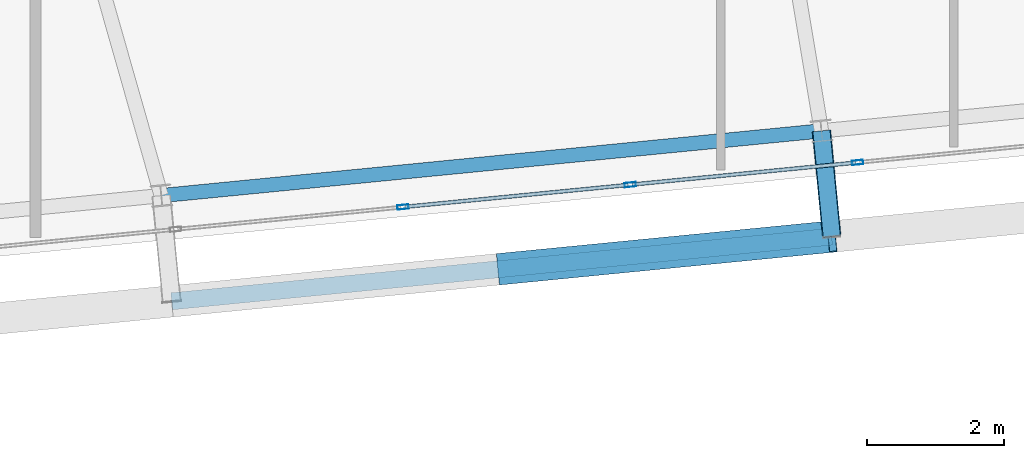
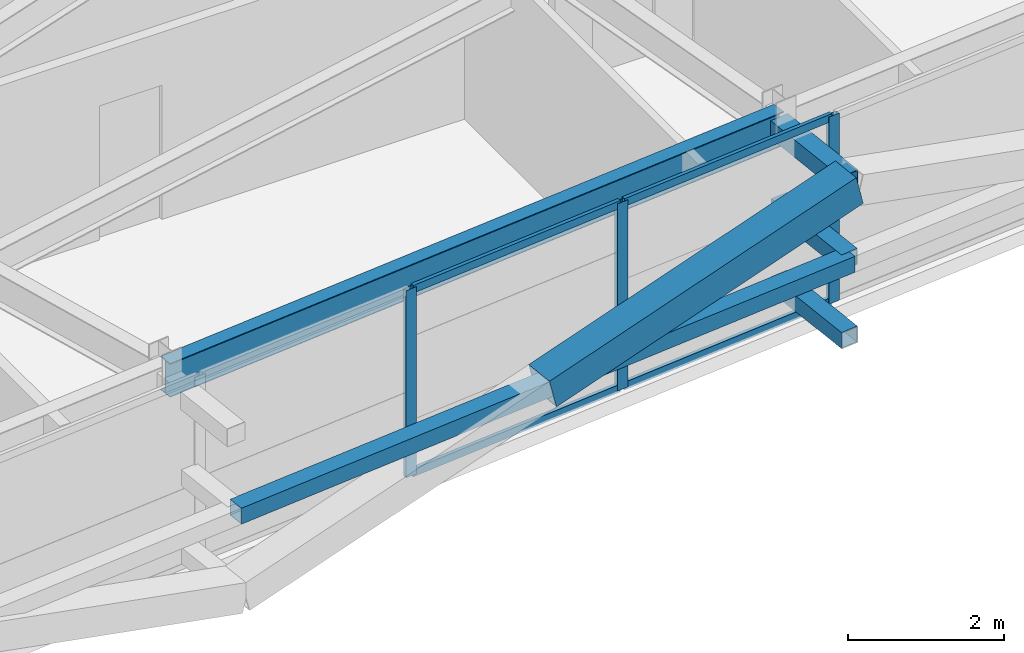
# One storey, part 18 of 52: 12 members, 1 beam, 1 element without a shape of its own.
"""IFC4 building model written with IfcOpenShell, lengths in metres."""

from ifc_helpers import new_model, si_unit, direction, frame, origin, origin_2d, place, context, subcontext, project, spatial, hollow_rectangle, i_section, extrude, source, transform, mapped, material, layer, layer_set, material_profile, profile_set, type_object, element, aggregate, save


model = new_model("IFC4")

# Units and contexts
model_context = context("Model", 3, precision=1e-05, world=origin(), true_north=direction((0.0, 1.0)))
body_context = subcontext(model_context, "Body", "Model", "MODEL_VIEW")
ifc_project = project(units=[si_unit("LENGTHUNIT", "METRE"), si_unit("AREAUNIT", "SQUARE_METRE"), si_unit("VOLUMEUNIT", "CUBIC_METRE"), si_unit("PLANEANGLEUNIT", "RADIAN"), si_unit("MASSUNIT", "GRAM", prefix="KILO")], contexts=[model_context])

# Site, building, storey
site_placement = place(None, origin())
site = spatial("IfcSite", under=ifc_project, at=site_placement, CompositionType="ELEMENT")
building_placement = place(site_placement, origin())
building = spatial("IfcBuilding", under=site, at=building_placement, Name="Taldren Reach Tower", CompositionType="ELEMENT")
storey_placement = place(building_placement, frame((0.0, 0.0, 96.60009765625)))
storey = spatial("IfcBuildingStorey", under=building, at=storey_placement, Name="L29", CompositionType="ELEMENT", Elevation=96.60009765625)

# Members
ifc_material_1 = material(Name="Steel Gr 450 (C450L0)", Category="steel")
ifc_material_profile_1 = material_profile(ifc_material_1, hollow_rectangle(XDim=0.27490234375, YDim=0.27490234375, WallThickness=0.00927734375, at=origin_2d()), Name="275x275x9.3SHS")
ifc_profile_set_1 = profile_set([ifc_material_profile_1], Name="Steel Gr 450 (C450L0)")
member_type_1 = type_object("IfcMemberType", Name="MB-TIE273", PredefinedType="STRUT", material=ifc_profile_set_1)
shared_shape_1 = source(origin(), body_context, "Body", "SweptSolid", [
    extrude(hollow_rectangle(XDim=0.27490234375, YDim=0.27490234375, WallThickness=0.00927734375, at=origin_2d()), origin(), (0.0, 0.0, 1.0), 1.5498046875),
])
member_1_placement = place(storey_placement, frame((53.469482421875, 3.698486328125, 2.64990234375), z_axis=(0.097507178627, -0.995234821595, 0.0), x_axis=(0.995234821595, 0.097507178627, 0.0)))
element("IfcMember", 1, at=member_1_placement, inside=storey, type_object=member_type_1, Name="Exoskeleton diaphragm tie strut B2-S5 L29", PredefinedType="STRUT", context=body_context, shape_type="MappedRepresentation", body=[
    mapped(shared_shape_1, transform((0.0, 0.0, 0.0), scale=1.0)),
])
ifc_material_2 = material(Name="Steel Gr 350 (C350L0)", Category="steel")
ifc_material_profile_2 = material_profile(ifc_material_2, hollow_rectangle(XDim=0.25, YDim=0.25, WallThickness=0.010009765625, at=origin_2d()), Name="250x250x10.0SHS")
ifc_profile_set_2 = profile_set([ifc_material_profile_2], Name="Steel Gr 350 (C350L0)")
member_type_2 = type_object("IfcMemberType", Name="MB-POST250", PredefinedType="POST", material=ifc_profile_set_2)
shared_shape_2 = source(origin(), body_context, "Body", "SweptSolid", [
    extrude(hollow_rectangle(XDim=0.25, YDim=0.25, WallThickness=0.010009765625, at=origin_2d()), origin(), (0.0, 0.0, 1.0), 1.5498046875),
])
for number, where, z_axis, x_axis, name in (
    (2, (53.469482421875, 3.698486328125, 0.219970703125), (0.097507178627, -0.995234821595, 0.0), (0.995234821595, 0.097507178627, 0.0), "Exoskeleton base diaphragm tie strut B2-S5 L29"),
    (3, (53.469482421875, 3.698486328125, 1.434814453125), (0.097507178627, -0.995234821595, 0.0), (0.995234821595, 0.097507178627, 0.0), "Exoskeleton mid-tier diaphragm tie B2-S5 L29"),
):
    element("IfcMember", number, at=place(storey_placement, frame(where, z_axis=z_axis, x_axis=x_axis)), inside=storey, type_object=member_type_2, Name=name, PredefinedType="POST", context=body_context, shape_type="MappedRepresentation", body=[
        mapped(shared_shape_2, transform((0.0, 0.0, 0.0), scale=1.0)),
    ])

# Beam
ifc_material_3 = material(Name="Steel Gr 350 (350PLUS)", Category="steel")
ifc_material_profile_3 = material_profile(ifc_material_3, i_section(OverallWidth=0.208984375, OverallDepth=0.528076171875, WebThickness=0.009521484375, FlangeThickness=0.01318359375, at=origin_2d()), Name="530UB82.0")
ifc_profile_set_3 = profile_set([ifc_material_profile_3], Name="Steel Gr 350 (350PLUS)")
beam_type = type_object("IfcBeamType", Name="SP-UB530B", PredefinedType="SPANDREL", material=ifc_profile_set_3)
shared_shape_3 = source(origin(), body_context, "Body", "SweptSolid", [
    extrude(i_section(OverallWidth=0.208984375, OverallDepth=0.528076171875, WebThickness=0.009521484375, FlangeThickness=0.01318359375, at=origin_2d()), origin(), (0.0, 0.0, 1.0), 9.68017578125),
])
beam_placement = place(storey_placement, frame((43.83544921875, 2.75390625, 2.666015625), z_axis=(0.995227852805, 0.097578281404, 0.0), x_axis=(-0.097578281404, 0.995227852805, 0.0)))
element("IfcBeam", 4, at=beam_placement, inside=storey, type_object=beam_type, Name="Perimeter spandrel B2 S4-S5 L29", PredefinedType="SPANDREL", context=body_context, shape_type="MappedRepresentation", body=[
    mapped(shared_shape_3, transform((0.0, 0.0, 0.0), scale=1.0)),
])

# Members
ifc_material_profile_4 = material_profile(ifc_material_1, hollow_rectangle(XDim=0.4599609375, YDim=0.4599609375, WallThickness=0.01611328125, at=origin_2d()), Name="460x460x16.0SHS")
ifc_profile_set_4 = profile_set([ifc_material_profile_4], Name="Steel Gr 450 (C450L0)")
member_type_3 = type_object("IfcMemberType", Name="MB-EXO457", PredefinedType="BRACE", material=ifc_profile_set_4)
shared_shape_4 = source(origin(), body_context, "Body", "SweptSolid", [
    extrude(hollow_rectangle(XDim=0.4599609375, YDim=0.4599609375, WallThickness=0.01611328125, at=origin_2d()), origin(), (0.0, 0.0, 1.0), 4.990234375),
])
member_2_placement = place(storey_placement, frame((48.8037109375, 1.68359375, 1.434814453125), z_axis=(0.965271056716, 0.094667992638, 0.243494883389), x_axis=(-0.097605711627, 0.995225162995, 0.0)))
element("IfcMember", 5, at=member_2_placement, inside=storey, type_object=member_type_3, Name="Exoskeleton Diagrid Brace B2-S4 L29", PredefinedType="BRACE", context=body_context, shape_type="MappedRepresentation", body=[
    mapped(shared_shape_4, transform((0.0, 0.0, 0.0), scale=1.0)),
])
shared_shape_5 = source(origin(), body_context, "Body", "SweptSolid", [
    extrude(hollow_rectangle(XDim=0.25, YDim=0.25, WallThickness=0.010009765625, at=origin_2d()), origin(), (0.0, 0.0, 1.0), 9.679931640625),
])
member_3_placement = place(storey_placement, frame((43.98681640625, 1.21142578125, 1.434814453125), z_axis=(0.995227612658, 0.097580730699, 0.0), x_axis=(-0.097580730699, 0.995227612658, 0.0)))
element("IfcMember", 6, at=member_3_placement, inside=storey, type_object=member_type_2, Name="Exoskeleton mid-height ring chord B2-S4 L29", PredefinedType="POST", context=body_context, shape_type="MappedRepresentation", body=[
    mapped(shared_shape_5, transform((0.0, 0.0, 0.0), scale=1.0)),
])

# Curtain wall, members
ifc_material_4 = material(Name="Aluminium and Low-E Glass Unitised System", Category="aluminium")
ifc_layer = layer(ifc_material_4, 0.159912109375)
ifc_layer_set = layer_set([ifc_layer], Name="Aluminium and Low-E Glass Unitised System")
curtain_wall_type = type_object("IfcCurtainWallType", Name="CW-SYS-3", PredefinedType="NOTDEFINED", material=ifc_layer_set)
curtain_wall_placement = place(storey_placement, origin())
curtain_wall = element("IfcCurtainWall", 7, at=curtain_wall_placement, inside=storey, type_object=curtain_wall_type, Name="Unitised curtain wall CW-L29-S", PredefinedType="NOTDEFINED")
ifc_material_5 = material(Name="Anodised Aluminium 6063-T6", Category="aluminium")
ifc_material_profile_5 = material_profile(ifc_material_5, hollow_rectangle(XDim=0.06494140625, YDim=0.1650390625, WallThickness=0.00390625, at=origin_2d()), Name="ALU-165x65x4RHS")
ifc_profile_set_5 = profile_set([ifc_material_profile_5], Name="Anodised Aluminium 6063-T6")
member_type_4 = type_object("IfcMemberType", Name="CW-MUL-165", PredefinedType="MULLION", material=ifc_profile_set_5)
shared_shape_6 = source(origin(), body_context, "Body", "SweptSolid", [
    extrude(hollow_rectangle(XDim=0.06494140625, YDim=0.1650390625, WallThickness=0.00390625, at=origin_2d()), origin(), (0.0, 0.0, 1.0), 2.929931640625),
])
member_4_placement = place(storey_placement, frame((47.362060546875, 2.587158203125, 0.0), z_axis=(0.0, 0.0, 1.0), x_axis=(-0.097582999046, 0.995227390247, 0.0)))
member_4 = element("IfcMember", 8, at=member_4_placement, type_object=member_type_4, Name="CW-3 mullion 11", PredefinedType="MULLION", context=body_context, shape_type="MappedRepresentation", body=[
    mapped(shared_shape_6, transform((0.0, 0.0, 0.0), scale=1.0)),
])
member_5_placement = place(storey_placement, frame((50.679443359375, 2.91259765625, 0.0), z_axis=(0.0, 0.0, 1.0), x_axis=(-0.097582999046, 0.995227390247, 0.0)))
member_5 = element("IfcMember", 9, at=member_5_placement, type_object=member_type_4, Name="CW-3 mullion 12", PredefinedType="MULLION", context=body_context, shape_type="MappedRepresentation", body=[
    mapped(shared_shape_6, transform((0.0, 0.0, 0.0), scale=1.0)),
])
member_6_placement = place(storey_placement, frame((53.996826171875, 3.23779296875, 0.0), z_axis=(0.0, 0.0, 1.0), x_axis=(-0.097582999046, 0.995227390247, 0.0)))
member_6 = element("IfcMember", 10, at=member_6_placement, type_object=member_type_4, Name="CW-3 mullion 13", PredefinedType="MULLION", context=body_context, shape_type="MappedRepresentation", body=[
    mapped(shared_shape_6, transform((0.0, 0.0, 0.0), scale=1.0)),
])
ifc_material_profile_6 = material_profile(ifc_material_5, hollow_rectangle(XDim=0.054931640625, YDim=0.1201171875, WallThickness=0.0029296875, at=origin_2d()), Name="ALU-120x55x3RHS")
ifc_profile_set_6 = profile_set([ifc_material_profile_6], Name="Anodised Aluminium 6063-T6")
member_type_5 = type_object("IfcMemberType", Name="CW-TRN-135", PredefinedType="USERDEFINED", material=ifc_profile_set_6)
shared_shape_7 = source(origin(), body_context, "Body", "SweptSolid", [
    extrude(hollow_rectangle(XDim=0.054931640625, YDim=0.1201171875, WallThickness=0.0029296875, at=origin_2d()), origin(), (0.0, 0.0, 1.0), 3.268310546875),
])
member_7_placement = place(storey_placement, frame((47.394287109375, 2.59033203125, 0.02734375), z_axis=(0.995222549564, 0.097632355496, 0.0), x_axis=(-0.097632355496, 0.995222549564, 0.0)))
member_7 = element("IfcMember", 11, at=member_7_placement, type_object=member_type_5, Name="CW-3 transom 11.1", ObjectType="TRANSOM", PredefinedType="USERDEFINED", context=body_context, shape_type="MappedRepresentation", body=[
    mapped(shared_shape_7, transform((0.0, 0.0, 0.0), scale=1.0)),
])
member_8_placement = place(storey_placement, frame((47.394287109375, 2.59033203125, 2.90234375), z_axis=(0.995222549564, 0.097632355496, 0.0), x_axis=(-0.097632355496, 0.995222549564, 0.0)))
member_8 = element("IfcMember", 12, at=member_8_placement, type_object=member_type_5, Name="CW-3 transom 11.2", ObjectType="TRANSOM", PredefinedType="USERDEFINED", context=body_context, shape_type="MappedRepresentation", body=[
    mapped(shared_shape_7, transform((0.0, 0.0, 0.0), scale=1.0)),
])
shared_shape_8 = source(origin(), body_context, "Body", "SweptSolid", [
    extrude(hollow_rectangle(XDim=0.054931640625, YDim=0.1201171875, WallThickness=0.0029296875, at=origin_2d()), origin(), (0.0, 0.0, 1.0), 3.2685546875),
])
member_9_placement = place(storey_placement, frame((50.711669921875, 2.915771484375, 0.02734375), z_axis=(0.99523051601, 0.097551114824, 0.0), x_axis=(-0.097551114824, 0.99523051601, 0.0)))
member_9 = element("IfcMember", 13, at=member_9_placement, type_object=member_type_5, Name="CW-3 transom 12.1", ObjectType="TRANSOM", PredefinedType="USERDEFINED", context=body_context, shape_type="MappedRepresentation", body=[
    mapped(shared_shape_8, transform((0.0, 0.0, 0.0), scale=1.0)),
])
member_10_placement = place(storey_placement, frame((50.711669921875, 2.915771484375, 2.90234375), z_axis=(0.99523051601, 0.097551114824, 0.0), x_axis=(-0.097551114824, 0.99523051601, 0.0)))
member_10 = element("IfcMember", 14, at=member_10_placement, type_object=member_type_5, Name="CW-3 transom 12.2", ObjectType="TRANSOM", PredefinedType="USERDEFINED", context=body_context, shape_type="MappedRepresentation", body=[
    mapped(shared_shape_8, transform((0.0, 0.0, 0.0), scale=1.0)),
])
aggregate(curtain_wall, [member_4, member_5, member_6, member_7, member_8, member_9, member_10])

save(model, "model.ifc")
